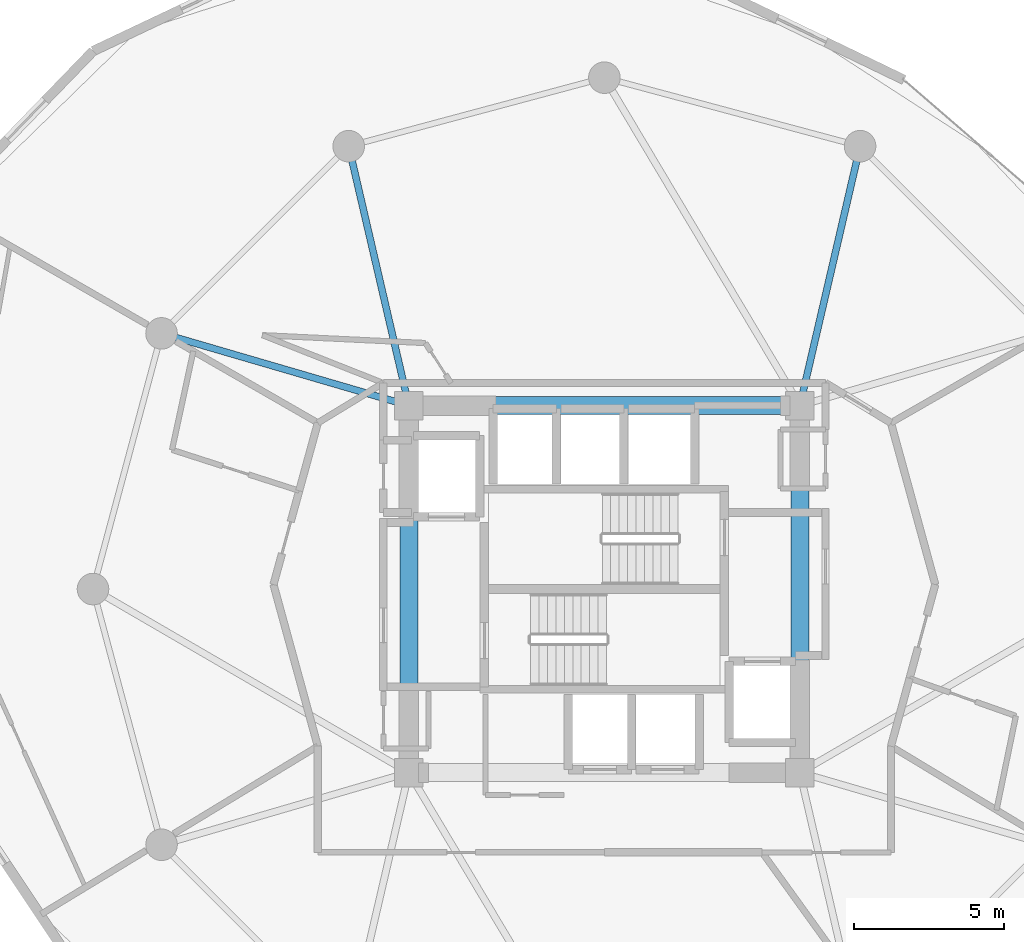
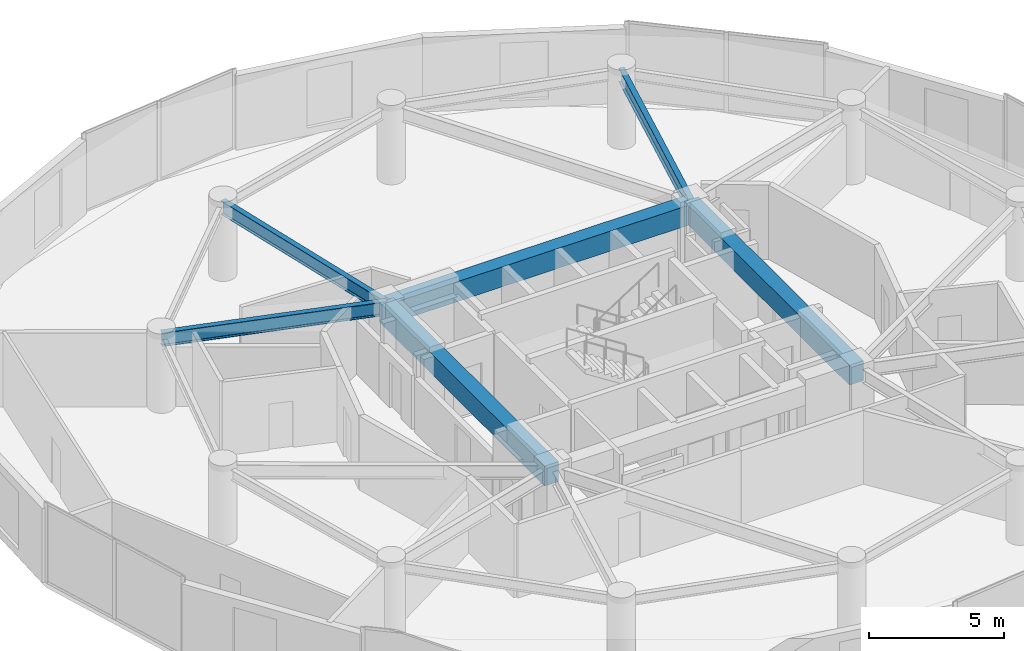
# One storey, part 9 of 26: 6 beams.
"""IFC4 building model written with IfcOpenShell, lengths in metres."""

from ifc_helpers import new_model, si_unit, direction, frame, origin, origin_2d, place, context, subcontext, project, spatial, rectangle, i_section, extrude, material, material_profile, profile_set, type_object, element, save


model = new_model("IFC4")

# Units and contexts
model_context = context("Model", 3, precision=1e-05, world=origin(), true_north=direction((0.0, 1.0)))
body_context = subcontext(model_context, "Body", "Model", "MODEL_VIEW")
ifc_project = project(units=[si_unit("LENGTHUNIT", "METRE"), si_unit("AREAUNIT", "SQUARE_METRE"), si_unit("VOLUMEUNIT", "CUBIC_METRE"), si_unit("PLANEANGLEUNIT", "RADIAN"), si_unit("MASSUNIT", "GRAM", prefix="KILO")], contexts=[model_context])

# Site, building, storey
site_placement = place(None, origin())
site = spatial("IfcSite", under=ifc_project, at=site_placement, CompositionType="ELEMENT")
building_placement = place(site_placement, origin())
building = spatial("IfcBuilding", under=site, at=building_placement, Name="Solvirekh Grand Hotel", CompositionType="ELEMENT")
storey_placement = place(building_placement, frame((0.0, 0.0, 113.39990234375)))
storey = spatial("IfcBuildingStorey", under=building, at=storey_placement, Name="L28", CompositionType="ELEMENT", Elevation=113.39990234375)

# Beams
ifc_material_1 = material(Name="Concrete C50/60", Category="concrete")
ifc_material_profile_1 = material_profile(ifc_material_1, rectangle(XDim=0.60009765625, YDim=0.89990234375, at=origin_2d()), Name="RC BEAM 600X900")
ifc_profile_set_1 = profile_set([ifc_material_profile_1], Name="Concrete C50/60")
beam_type_1 = type_object("IfcBeamType", Name="Beam_Core_RC900", PredefinedType="BEAM", material=ifc_profile_set_1)
beam_1_placement = place(storey_placement, frame((6.5, -6.10009765625, 2.900146484375), z_axis=(0.0, 1.0, 0.0), x_axis=(-1.0, 0.0, 0.0)))
element("IfcBeam", 1, at=beam_1_placement, inside=storey, type_object=beam_type_1, Name="L28 core coupling ring beam 2", PredefinedType="BEAM", context=body_context, shape_type="SweptSolid", body=[
    extrude(rectangle(XDim=0.60009765625, YDim=0.89990234375, at=origin_2d()), origin(), (0.0, 0.0, 1.0), 12.2001953125),
])
beam_2_placement = place(storey_placement, frame((6.5, 6.10009765625, 2.900146484375), z_axis=(-1.0, 0.0, 0.0), x_axis=(0.0, -1.0, 0.0)))
element("IfcBeam", 2, at=beam_2_placement, inside=storey, type_object=beam_type_1, Name="L28 core coupling ring beam 3", PredefinedType="BEAM", context=body_context, shape_type="SweptSolid", body=[
    extrude(rectangle(XDim=0.60009765625, YDim=0.89990234375, at=origin_2d()), origin(), (0.0, 0.0, 1.0), 13.0),
])
beam_3_placement = place(storey_placement, frame((-6.5, 6.10009765625, 2.900146484375), z_axis=(0.0, -1.0, 0.0), x_axis=(1.0, 0.0, 0.0)))
element("IfcBeam", 3, at=beam_3_placement, inside=storey, type_object=beam_type_1, Name="L28 core coupling ring beam 4", PredefinedType="BEAM", context=body_context, shape_type="SweptSolid", body=[
    extrude(rectangle(XDim=0.60009765625, YDim=0.89990234375, at=origin_2d()), origin(), (0.0, 0.0, 1.0), 12.2001953125),
])
ifc_material_2 = material(Name="Steel S355", Category="steel")
ifc_material_profile_2 = material_profile(ifc_material_2, i_section(OverallWidth=0.22802734375, OverallDepth=0.616943359375, WebThickness=0.012939453125, FlangeThickness=0.02001953125, FilletRadius=0.014892578125, at=origin_2d()), Name="W610X140")
ifc_profile_set_2 = profile_set([ifc_material_profile_2], Name="Steel S355")
beam_type_2 = type_object("IfcBeamType", Name="Beam_Radial_W610", PredefinedType="BEAM", material=ifc_profile_set_2)
for number, where, z_axis, x_axis, name in (
    (4, (6.5, 6.10009765625, 3.0419921875), (0.225969390542, 0.974134402707, 0.0), (-0.974134402707, 0.225969390542, 0.0), "L28 radial floor beam R03"),
    (5, (-6.5, 6.10009765625, 3.0419921875), (-0.225969390542, 0.974134402707, 0.0), (-0.974134402707, -0.225969390542, 0.0), "L28 radial floor beam R05"),
):
    element("IfcBeam", number, at=place(storey_placement, frame(where, z_axis=z_axis, x_axis=x_axis)), inside=storey, type_object=beam_type_2, Name=name, PredefinedType="BEAM", context=body_context, shape_type="SweptSolid", body=[
        extrude(i_section(OverallWidth=0.22802734375, OverallDepth=0.616943359375, WebThickness=0.012939453125, FlangeThickness=0.02001953125, FilletRadius=0.014892578125, at=origin_2d()), origin(), (0.0, 0.0, 1.0), 8.850830078125),
    ])
beam_4_placement = place(storey_placement, frame((-6.5, 6.10009765625, 3.0419921875), z_axis=(-0.959942195467, 0.28019811092, 0.0), x_axis=(-0.28019811092, -0.959942195467, 0.0)))
element("IfcBeam", 6, at=beam_4_placement, inside=storey, type_object=beam_type_2, Name="L28 radial floor beam R06", PredefinedType="BEAM", context=body_context, shape_type="SweptSolid", body=[
    extrude(i_section(OverallWidth=0.22802734375, OverallDepth=0.616943359375, WebThickness=0.012939453125, FlangeThickness=0.02001953125, FilletRadius=0.014892578125, at=origin_2d()), origin(), (0.0, 0.0, 1.0), 8.56494140625),
])

save(model, "model.ifc")
